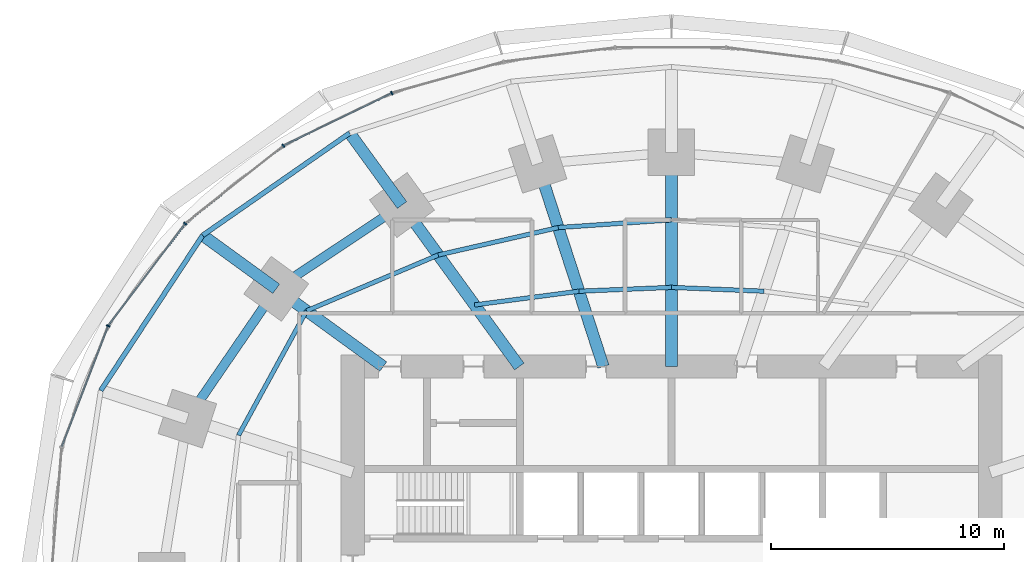
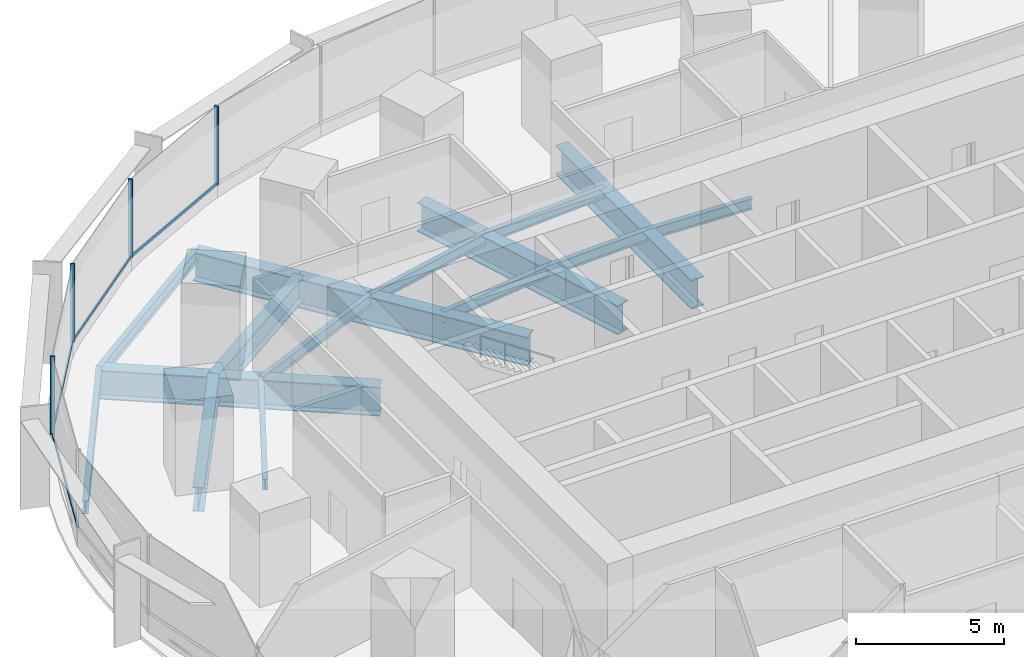
# One storey, part 7 of 15: 17 beams, 8 members, 1 element without a shape of its own.
"""IFC4 building model written with IfcOpenShell, lengths in metres."""

from ifc_helpers import new_model, si_unit, direction, frame, origin, origin_2d, place, context, subcontext, project, spatial, rectangle, i_section, extrude, material, material_profile, profile_set, type_object, element, aggregate, save


model = new_model("IFC4")

# Units and contexts
model_context = context("Model", 3, precision=1e-05, world=origin(), true_north=direction((0.0, 1.0)))
body_context = subcontext(model_context, "Body", "Model", "MODEL_VIEW")
ifc_project = project(units=[si_unit("LENGTHUNIT", "METRE"), si_unit("AREAUNIT", "SQUARE_METRE"), si_unit("VOLUMEUNIT", "CUBIC_METRE"), si_unit("PLANEANGLEUNIT", "RADIAN"), si_unit("MASSUNIT", "GRAM", prefix="KILO")], contexts=[model_context])

# Site, building, storey
site_placement = place(None, origin())
site = spatial("IfcSite", under=ifc_project, at=site_placement, CompositionType="ELEMENT")
building_placement = place(site_placement, origin())
building = spatial("IfcBuilding", under=site, at=building_placement, Name="Marramba Exchange Tower", CompositionType="ELEMENT")
storey_placement = place(building_placement, frame((0.0, 0.0, 53.199951171875)))
storey = spatial("IfcBuildingStorey", under=building, at=storey_placement, Name="L12", CompositionType="ELEMENT", Elevation=53.199951171875)

# Beams
ifc_material_1 = material(Name="Steel AS/NZS 3679.2 grade 300", Category="steel")
ifc_material_profile_1 = material_profile(ifc_material_1, i_section(OverallWidth=0.5, OverallDepth=1.199951171875, WebThickness=0.01611328125, FlangeThickness=0.0400390625, at=origin_2d()), Name="1200WB455")
ifc_profile_set_1 = profile_set([ifc_material_profile_1], Name="Steel AS/NZS 3679.2 grade 300")
beam_type_1 = type_object("IfcBeamType", Name="Cantilever girder 1200WB455", PredefinedType="BEAM", material=ifc_profile_set_1)
beam_1_placement = place(storey_placement, frame((-11.581298828125, 15.9404296875, -0.760009765625), z_axis=(-0.587795827483, 0.809009310944, 0.0), x_axis=(-0.809009310944, -0.587795827483, 0.0)))
element("IfcBeam", 1, at=beam_1_placement, inside=storey, type_object=beam_type_1, Name="Cantilever girder L12 TC08", PredefinedType="BEAM", context=body_context, shape_type="SweptSolid", body=[
    extrude(i_section(OverallWidth=0.5, OverallDepth=1.199951171875, WebThickness=0.01611328125, FlangeThickness=0.0400390625, at=origin_2d()), origin(), (0.0, 0.0, 1.0), 3.82421875),
])
beam_2_placement = place(storey_placement, frame((-16.98583984375, 12.3408203125, -0.760009765625), z_axis=(-0.808987260856, 0.587826174793, 0.0), x_axis=(-0.587826174793, -0.808987260856, 0.0)))
element("IfcBeam", 2, at=beam_2_placement, inside=storey, type_object=beam_type_1, Name="Cantilever girder L12 TC09", PredefinedType="BEAM", context=body_context, shape_type="SweptSolid", body=[
    extrude(i_section(OverallWidth=0.5, OverallDepth=1.199951171875, WebThickness=0.01611328125, FlangeThickness=0.0400390625, at=origin_2d()), origin(), (0.0, 0.0, 1.0), 3.90771484375),
])
ifc_material_2 = material(Name="Steel AS/NZS 3679.1 grade 300", Category="steel")
ifc_material_profile_2 = material_profile(ifc_material_2, i_section(OverallWidth=0.18994140625, OverallDepth=0.4541015625, WebThickness=0.008544921875, FlangeThickness=0.0126953125, FilletRadius=0.011474609375, at=origin_2d()), Name="460UB67.1")
ifc_profile_set_2 = profile_set([ifc_material_profile_2], Name="Steel AS/NZS 3679.1 grade 300")
beam_type_2 = type_object("IfcBeamType", Name="Floor joist 460UB67.1", PredefinedType="JOIST", material=ifc_profile_set_2)
for number, where, z_axis, x_axis, name in (
    (3, (3.975830078125, 12.236083984375, -0.386962890625), (-0.999137002892, 0.041536122257, 0.0), (-0.041536122257, -0.999137002892, 0.0), "Joist L12 bay 05 row 1"),
    (4, (0.0, 12.4013671875, -0.386962890625), (-0.999137002892, -0.041536122257, 0.0), (0.041536122257, -0.999137002892, 0.0), "Joist L12 bay 06 row 1"),
):
    element("IfcBeam", number, at=place(storey_placement, frame(where, z_axis=z_axis, x_axis=x_axis)), inside=storey, type_object=beam_type_2, Name=name, PredefinedType="JOIST", context=body_context, shape_type="SweptSolid", body=[
        extrude(i_section(OverallWidth=0.18994140625, OverallDepth=0.4541015625, WebThickness=0.008544921875, FlangeThickness=0.0126953125, FilletRadius=0.011474609375, at=origin_2d()), origin(), (0.0, 0.0, 1.0), 3.979248046875),
    ])
beam_3_placement = place(storey_placement, frame((0.0, 15.302734375, -0.386962890625), z_axis=(-0.997702652202, -0.067745241816, 0.0), x_axis=(0.067745241816, -0.997702652202, 0.0)))
element("IfcBeam", 5, at=beam_3_placement, inside=storey, type_object=beam_type_2, Name="Joist L12 bay 06 row 2", PredefinedType="JOIST", context=body_context, shape_type="SweptSolid", body=[
    extrude(i_section(OverallWidth=0.18994140625, OverallDepth=0.4541015625, WebThickness=0.008544921875, FlangeThickness=0.0126953125, FilletRadius=0.011474609375, at=origin_2d()), origin(), (0.0, 0.0, 1.0), 4.8759765625),
])
beam_4_placement = place(storey_placement, frame((-3.975830078125, 12.236083984375, -0.386962890625), z_axis=(-0.991480538255, -0.130254912618, 0.0), x_axis=(0.130254912618, -0.991480538255, 0.0)))
element("IfcBeam", 6, at=beam_4_placement, inside=storey, type_object=beam_type_2, Name="Joist L12 bay 07 row 1", PredefinedType="JOIST", context=body_context, shape_type="SweptSolid", body=[
    extrude(i_section(OverallWidth=0.18994140625, OverallDepth=0.4541015625, WebThickness=0.008544921875, FlangeThickness=0.0126953125, FilletRadius=0.011474609375, at=origin_2d()), origin(), (0.0, 0.0, 1.0), 4.524658203125),
])
beam_5_placement = place(storey_placement, frame((-4.86474609375, 14.972412109375, -0.386962890625), z_axis=(-0.974859652292, -0.222819788916, 0.0), x_axis=(0.222819788916, -0.974859652292, 0.0)))
element("IfcBeam", 7, at=beam_5_placement, inside=storey, type_object=beam_type_2, Name="Joist L12 bay 07 row 2", PredefinedType="JOIST", context=body_context, shape_type="SweptSolid", body=[
    extrude(i_section(OverallWidth=0.18994140625, OverallDepth=0.4541015625, WebThickness=0.008544921875, FlangeThickness=0.0126953125, FilletRadius=0.011474609375, at=origin_2d()), origin(), (0.0, 0.0, 1.0), 5.2900390625),
])
beam_6_placement = place(storey_placement, frame((-10.021728515625, 13.793701171875, -0.386962890625), z_axis=(-0.920674336375, -0.390331610738, 0.0), x_axis=(0.390331610738, -0.920674336375, 0.0)))
element("IfcBeam", 8, at=beam_6_placement, inside=storey, type_object=beam_type_2, Name="Joist L12 bay 08 row 2", PredefinedType="JOIST", context=body_context, shape_type="SweptSolid", body=[
    extrude(i_section(OverallWidth=0.18994140625, OverallDepth=0.4541015625, WebThickness=0.008544921875, FlangeThickness=0.0126953125, FilletRadius=0.011474609375, at=origin_2d()), origin(), (0.0, 0.0, 1.0), 6.1484375),
])
beam_7_placement = place(storey_placement, frame((-15.682373046875, 11.393798828125, -0.386962890625), z_axis=(-0.479584443791, -0.877495732909, 0.0), x_axis=(0.877495732909, -0.479584443791, 0.0)))
element("IfcBeam", 9, at=beam_7_placement, inside=storey, type_object=beam_type_2, Name="Joist L12 bay 09 row 2", PredefinedType="JOIST", context=body_context, shape_type="SweptSolid", body=[
    extrude(i_section(OverallWidth=0.18994140625, OverallDepth=0.4541015625, WebThickness=0.008544921875, FlangeThickness=0.0126953125, FilletRadius=0.011474609375, at=origin_2d()), origin(), (0.0, 0.0, 1.0), 6.094970703125),
])
ifc_material_profile_3 = material_profile(ifc_material_1, i_section(OverallWidth=0.5, OverallDepth=1.199951171875, WebThickness=0.01611328125, FlangeThickness=0.0400390625, at=origin_2d()), Name="1200WB455")
ifc_profile_set_3 = profile_set([ifc_material_profile_3], Name="Steel AS/NZS 3679.2 grade 300")
beam_type_3 = type_object("IfcBeamType", Name="Radial girder 1200WB455", PredefinedType="BEAM", material=ifc_profile_set_3)
beam_8_placement = place(storey_placement, frame((0.0, 9.0, -0.760009765625), z_axis=(0.0, 1.0, 0.0), x_axis=(-1.0, 0.0, 0.0)))
element("IfcBeam", 10, at=beam_8_placement, inside=storey, type_object=beam_type_3, Name="Radial girder L12 TC06", PredefinedType="BEAM", context=body_context, shape_type="SweptSolid", body=[
    extrude(i_section(OverallWidth=0.5, OverallDepth=1.199951171875, WebThickness=0.01611328125, FlangeThickness=0.0400390625, at=origin_2d()), origin(), (0.0, 0.0, 1.0), 9.2041015625),
])
beam_9_placement = place(storey_placement, frame((-2.92431640625, 9.0, -0.760009765625), z_axis=(-0.309019754162, 0.951055619582, 0.0), x_axis=(-0.951055619582, -0.309019754162, 0.0)))
element("IfcBeam", 11, at=beam_9_placement, inside=storey, type_object=beam_type_3, Name="Radial girder L12 TC07", PredefinedType="BEAM", context=body_context, shape_type="SweptSolid", body=[
    extrude(i_section(OverallWidth=0.5, OverallDepth=1.199951171875, WebThickness=0.01611328125, FlangeThickness=0.0400390625, at=origin_2d()), origin(), (0.0, 0.0, 1.0), 9.15673828125),
])
beam_10_placement = place(storey_placement, frame((-6.538818359375, 9.0, -0.760009765625), z_axis=(-0.587782439969, 0.80901903764, 0.0), x_axis=(-0.80901903764, -0.587782439969, 0.0)))
element("IfcBeam", 12, at=beam_10_placement, inside=storey, type_object=beam_type_3, Name="Radial girder L12 TC08", PredefinedType="BEAM", context=body_context, shape_type="SweptSolid", body=[
    extrude(i_section(OverallWidth=0.5, OverallDepth=1.199951171875, WebThickness=0.01611328125, FlangeThickness=0.0400390625, at=origin_2d()), origin(), (0.0, 0.0, 1.0), 8.578857421875),
])
beam_11_placement = place(storey_placement, frame((-12.387451171875, 9.0, -0.760009765625), z_axis=(-0.809025746925, 0.587773205252, 0.0), x_axis=(-0.587773205252, -0.809025746925, 0.0)))
element("IfcBeam", 13, at=beam_11_placement, inside=storey, type_object=beam_type_3, Name="Radial girder L12 TC09", PredefinedType="BEAM", context=body_context, shape_type="SweptSolid", body=[
    extrude(i_section(OverallWidth=0.5, OverallDepth=1.199951171875, WebThickness=0.01611328125, FlangeThickness=0.0400390625, at=origin_2d()), origin(), (0.0, 0.0, 1.0), 5.683837890625),
])
ifc_material_profile_4 = material_profile(ifc_material_1, i_section(OverallWidth=0.39990234375, OverallDepth=1.0, WebThickness=0.01611328125, FlangeThickness=0.031982421875, at=origin_2d()), Name="1000WB322")
ifc_profile_set_4 = profile_set([ifc_material_profile_4], Name="Steel AS/NZS 3679.2 grade 300")
beam_type_4 = type_object("IfcBeamType", Name="Ring beam 1000WB322", PredefinedType="SPANDREL", material=ifc_profile_set_4)
beam_12_placement = place(storey_placement, frame((-11.581298828125, 15.9404296875, -0.659912109375), z_axis=(-0.832293151443, -0.554335737673, 0.0), x_axis=(0.554335737673, -0.832293151443, 0.0)))
element("IfcBeam", 14, at=beam_12_placement, inside=storey, type_object=beam_type_4, Name="Ring beam L12 TC08-TC09", PredefinedType="SPANDREL", context=body_context, shape_type="SweptSolid", body=[
    extrude(i_section(OverallWidth=0.39990234375, OverallDepth=1.0, WebThickness=0.01611328125, FlangeThickness=0.031982421875, at=origin_2d()), origin(), (0.0, 0.0, 1.0), 6.49365234375),
])
beam_13_placement = place(storey_placement, frame((-16.98583984375, 12.3408203125, -0.659912109375), z_axis=(-0.56516002054, -0.824981303535, 0.0), x_axis=(0.824981303535, -0.56516002054, 0.0)))
element("IfcBeam", 15, at=beam_13_placement, inside=storey, type_object=beam_type_4, Name="Ring beam L12 TC09-TC10", PredefinedType="SPANDREL", context=body_context, shape_type="SweptSolid", body=[
    extrude(i_section(OverallWidth=0.39990234375, OverallDepth=1.0, WebThickness=0.01611328125, FlangeThickness=0.031982421875, at=origin_2d()), origin(), (0.0, 0.0, 1.0), 6.763671875),
])
ifc_material_profile_5 = material_profile(ifc_material_2, i_section(OverallWidth=0.208984375, OverallDepth=0.528076171875, WebThickness=0.009521484375, FlangeThickness=0.01318359375, FilletRadius=0.013916015625, at=origin_2d()), Name="530UB82.0")
ifc_profile_set_5 = profile_set([ifc_material_profile_5], Name="Steel AS/NZS 3679.1 grade 300")
beam_type_5 = type_object("IfcBeamType", Name="Slab edge beam 530UB82.0", PredefinedType="SPANDREL", material=ifc_profile_set_5)
beam_14_placement = place(storey_placement, frame((-13.8291015625, 19.0341796875, -0.424072265625), z_axis=(-0.820842487183, -0.571154629882, 0.0), x_axis=(0.571154629882, -0.820842487183, 0.0)))
element("IfcBeam", 16, at=beam_14_placement, inside=storey, type_object=beam_type_5, Name="Slab edge beam L12 TC08-TC09", PredefinedType="SPANDREL", context=body_context, shape_type="SweptSolid", body=[
    extrude(i_section(OverallWidth=0.208984375, OverallDepth=0.528076171875, WebThickness=0.009521484375, FlangeThickness=0.01318359375, FilletRadius=0.013916015625, at=origin_2d()), origin(), (0.0, 0.0, 1.0), 7.697021484375),
])
beam_15_placement = place(storey_placement, frame((-20.147216796875, 14.637939453125, -0.424072265625), z_axis=(-0.549123544095, -0.835741188001, 0.0), x_axis=(0.835741188001, -0.549123544095, 0.0)))
element("IfcBeam", 17, at=beam_15_placement, inside=storey, type_object=beam_type_5, Name="Slab edge beam L12 TC09-TC10", PredefinedType="SPANDREL", context=body_context, shape_type="SweptSolid", body=[
    extrude(i_section(OverallWidth=0.208984375, OverallDepth=0.528076171875, WebThickness=0.009521484375, FlangeThickness=0.01318359375, FilletRadius=0.013916015625, at=origin_2d()), origin(), (0.0, 0.0, 1.0), 7.978759765625),
])

# Curtain wall, members
ifc_material_3 = material(Name="Aluminium framing, bronze anodised", Category="aluminium")
curtain_wall_type = type_object("IfcCurtainWallType", Name="Trading floor ribbon curtain wall", PredefinedType="USERDEFINED", material=ifc_material_3)
curtain_wall_placement = place(storey_placement, origin())
curtain_wall = element("IfcCurtainWall", 18, at=curtain_wall_placement, inside=storey, type_object=curtain_wall_type, Name="Curtain wall CW3 L12 F11-F15", ObjectType="RIBBON CURTAIN WALL", PredefinedType="USERDEFINED")
ifc_material_4 = material(Name="Aluminium mullion, bronze anodised", Category="aluminium")
ifc_material_profile_6 = material_profile(ifc_material_4, rectangle(XDim=0.159912109375, YDim=0.06005859375, at=origin_2d()), Name="CW3 mullion 60x160")
ifc_profile_set_6 = profile_set([ifc_material_profile_6], Name="Aluminium mullion, bronze anodised")
member_type_1 = type_object("IfcMemberType", Name="Trading floor ribbon curtain wall mullion", PredefinedType="MULLION", material=ifc_profile_set_6)
member_1_placement = place(storey_placement, frame((-12.016357421875, 20.7529296875, 0.800048828125), z_axis=(0.0, 0.0, 1.0), x_axis=(0.43596538664, -0.899963433508, 0.0)))
member_1 = element("IfcMember", 19, at=member_1_placement, type_object=member_type_1, Name="CW3 mullion 1", PredefinedType="MULLION", context=body_context, shape_type="SweptSolid", body=[
    extrude(rectangle(XDim=0.159912109375, YDim=0.06005859375, at=origin_2d()), origin(), (0.0, 0.0, 1.0), 3.239990234375),
])
member_2_placement = place(storey_placement, frame((-16.683837890625, 18.484619140625, 0.800048828125), z_axis=(0.0, 0.0, 1.0), x_axis=(0.620649730166, -0.784087949432, 0.0)))
member_2 = element("IfcMember", 20, at=member_2_placement, type_object=member_type_1, Name="CW3 mullion 1", PredefinedType="MULLION", context=body_context, shape_type="SweptSolid", body=[
    extrude(rectangle(XDim=0.159912109375, YDim=0.06005859375, at=origin_2d()), origin(), (0.0, 0.0, 1.0), 3.239990234375),
])
member_3_placement = place(storey_placement, frame((-20.8935546875, 15.142822265625, 0.800048828125), z_axis=(0.0, 0.0, 1.0), x_axis=(0.797748922445, -0.602989765036, 0.0)))
member_3 = element("IfcMember", 21, at=member_3_placement, type_object=member_type_1, Name="CW3 mullion 1", PredefinedType="MULLION", context=body_context, shape_type="SweptSolid", body=[
    extrude(rectangle(XDim=0.159912109375, YDim=0.06005859375, at=origin_2d()), origin(), (0.0, 0.0, 1.0), 3.239990234375),
])
member_4_placement = place(storey_placement, frame((-24.207275390625, 10.7451171875, 0.800048828125), z_axis=(0.0, 0.0, 1.0), x_axis=(0.933135256626, -0.359525510698, 0.0)))
member_4 = element("IfcMember", 22, at=member_4_placement, type_object=member_type_1, Name="CW3 mullion 1", PredefinedType="MULLION", context=body_context, shape_type="SweptSolid", body=[
    extrude(rectangle(XDim=0.159912109375, YDim=0.06005859375, at=origin_2d()), origin(), (0.0, 0.0, 1.0), 3.239990234375),
])
ifc_material_5 = material(Name="Aluminium transom, bronze anodised", Category="aluminium")
ifc_material_profile_7 = material_profile(ifc_material_5, rectangle(XDim=0.06005859375, YDim=0.1201171875, at=origin_2d()), Name="CW3 transom 60x120")
ifc_profile_set_7 = profile_set([ifc_material_profile_7], Name="Aluminium transom, bronze anodised")
member_type_2 = type_object("IfcMemberType", Name="Trading floor ribbon curtain wall transom", PredefinedType="USERDEFINED", material=ifc_profile_set_7)
member_5_placement = place(storey_placement, frame((-12.043212890625, 20.739990234375, 0.830078125), z_axis=(-0.89995331781, -0.43598626786, 0.0), x_axis=(0.43598626786, -0.89995331781, 0.0)))
member_5 = element("IfcMember", 23, at=member_5_placement, type_object=member_type_2, Name="CW3 sill transom", ObjectType="TRANSOM", PredefinedType="USERDEFINED", context=body_context, shape_type="SweptSolid", body=[
    extrude(rectangle(XDim=0.06005859375, YDim=0.1201171875, at=origin_2d()), origin(), (0.0, 0.0, 1.0), 5.13037109375),
])
member_6_placement = place(storey_placement, frame((-16.70751953125, 18.466064453125, 0.830078125), z_axis=(-0.784075625018, -0.620665299701, 0.0), x_axis=(0.620665299701, -0.784075625018, 0.0)))
member_6 = element("IfcMember", 24, at=member_6_placement, type_object=member_type_2, Name="CW3 sill transom", ObjectType="TRANSOM", PredefinedType="USERDEFINED", context=body_context, shape_type="SweptSolid", body=[
    extrude(rectangle(XDim=0.06005859375, YDim=0.1201171875, at=origin_2d()), origin(), (0.0, 0.0, 1.0), 5.315673828125),
])
member_7_placement = place(storey_placement, frame((-20.91162109375, 15.118896484375, 0.830078125), z_axis=(-0.602985866158, -0.797751869452, 0.0), x_axis=(0.797751869452, -0.602985866158, 0.0)))
member_7 = element("IfcMember", 25, at=member_7_placement, type_object=member_type_2, Name="CW3 sill transom", ObjectType="TRANSOM", PredefinedType="USERDEFINED", context=body_context, shape_type="SweptSolid", body=[
    extrude(rectangle(XDim=0.06005859375, YDim=0.1201171875, at=origin_2d()), origin(), (0.0, 0.0, 1.0), 5.44775390625),
])
member_8_placement = place(storey_placement, frame((-24.218017578125, 10.717041015625, 0.830078125), z_axis=(-0.359533581349, -0.933132147063, 0.0), x_axis=(0.933132147063, -0.359533581349, 0.0)))
member_8 = element("IfcMember", 26, at=member_8_placement, type_object=member_type_2, Name="CW3 sill transom", ObjectType="TRANSOM", PredefinedType="USERDEFINED", context=body_context, shape_type="SweptSolid", body=[
    extrude(rectangle(XDim=0.06005859375, YDim=0.1201171875, at=origin_2d()), origin(), (0.0, 0.0, 1.0), 5.5166015625),
])
aggregate(curtain_wall, [member_1, member_5, member_2, member_6, member_3, member_7, member_4, member_8])

save(model, "model.ifc")
